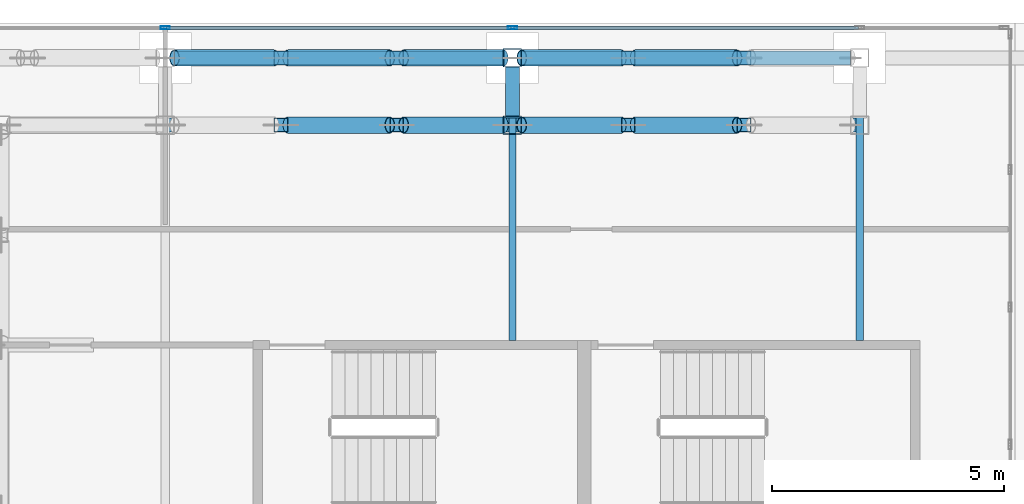
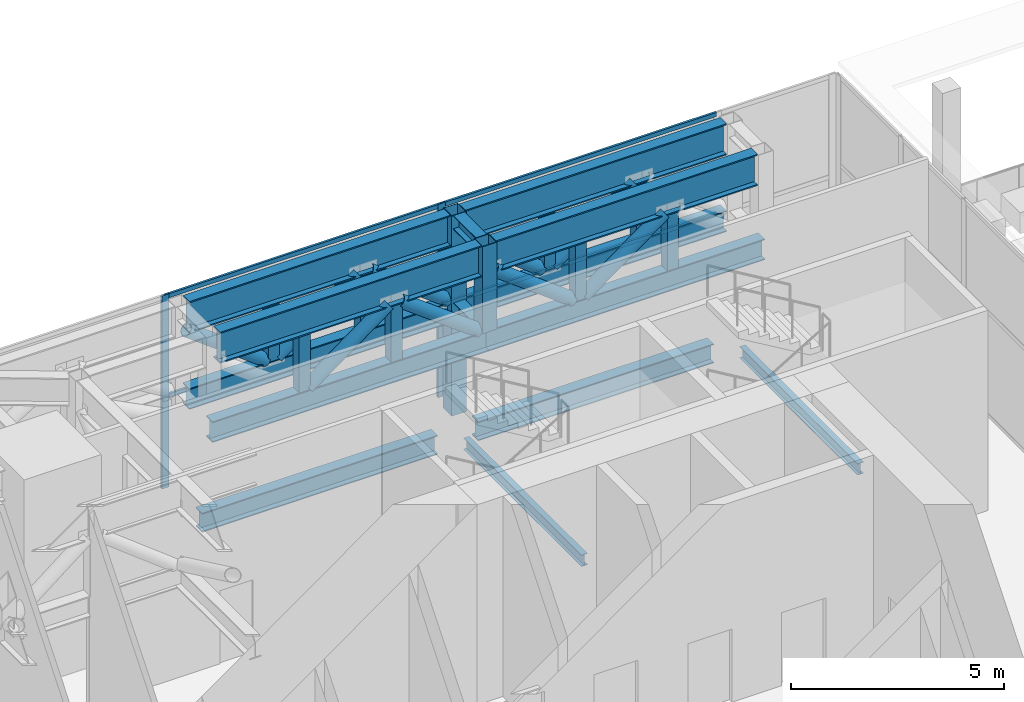
# One storey, part 22 of 47: 33 members, 6 beams, 1 element without a shape of its own.
"""IFC4 building model written with IfcOpenShell, lengths in metres."""

from ifc_helpers import new_model, si_unit, direction, frame, origin, origin_2d, place, context, subcontext, project, spatial, hollow_rectangle, hollow_circle, i_section, extrude, source, transform, mapped, material, material_profile, profile_set, type_object, element, aggregate, save


model = new_model("IFC4")

# Units and contexts
model_context = context("Model", 3, precision=1e-05, world=origin(), true_north=direction((0.0, 1.0)))
body_context = subcontext(model_context, "Body", "Model", "MODEL_VIEW")
ifc_project = project(units=[si_unit("LENGTHUNIT", "METRE"), si_unit("AREAUNIT", "SQUARE_METRE"), si_unit("VOLUMEUNIT", "CUBIC_METRE"), si_unit("PLANEANGLEUNIT", "RADIAN"), si_unit("MASSUNIT", "GRAM", prefix="KILO")], contexts=[model_context])

# Site, building, storey
site_placement = place(None, origin())
site = spatial("IfcSite", under=ifc_project, at=site_placement, CompositionType="ELEMENT")
building_placement = place(site_placement, origin())
building = spatial("IfcBuilding", under=site, at=building_placement, Name="Khomas Fold Tower", CompositionType="ELEMENT")
storey_placement = place(building_placement, frame((0.0, 0.0, 158.699951171875)))
storey = spatial("IfcBuildingStorey", under=building, at=storey_placement, Name="L34", CompositionType="ELEMENT", Elevation=158.699951171875)

# Beams
ifc_material_1 = material(Name="Steel S355", Category="steel")
ifc_material_profile_1 = material_profile(ifc_material_1, i_section(OverallWidth=0.300048828125, OverallDepth=0.550048828125, WebThickness=0.014892578125, FlangeThickness=0.029052734375, at=origin_2d()), Name="HE 550 B")
ifc_profile_set_1 = profile_set([ifc_material_profile_1], Name="Steel S355")
beam_type_1 = type_object("IfcBeamType", Name="HE 550 B spandrel SB2", PredefinedType="SPANDREL", material=ifc_profile_set_1)
shared_shape_1 = source(origin(), body_context, "Body", "SweptSolid", [
    extrude(i_section(OverallWidth=0.300048828125, OverallDepth=0.550048828125, WebThickness=0.014892578125, FlangeThickness=0.029052734375, at=origin_2d()), origin(), (0.0, 0.0, 1.0), 6.39990234375),
])
for number, where, z_axis, x_axis, name in (
    (1, (20.050048828125, 51.75, -0.724853515625), (1.0, 0.0, 0.0), (0.0, 1.0, 0.0), "SB2"),
    (2, (12.550048828125, 51.75, -0.724853515625), (1.0, 0.0, 0.0), (0.0, 1.0, 0.0), "SB2"),
):
    element("IfcBeam", number, at=place(storey_placement, frame(where, z_axis=z_axis, x_axis=x_axis)), inside=storey, type_object=beam_type_1, Name=name, PredefinedType="SPANDREL", context=body_context, shape_type="MappedRepresentation", body=[
        mapped(shared_shape_1, transform((0.0, 0.0, 0.0))),
    ])
ifc_material_2 = material(Name="Steel S355", Category="steel")
ifc_material_profile_2 = material_profile(ifc_material_2, i_section(OverallWidth=0.159912109375, OverallDepth=0.330078125, WebThickness=0.007568359375, FlangeThickness=0.011474609375, at=origin_2d()), Name="IPE 330")
ifc_profile_set_2 = profile_set([ifc_material_profile_2], Name="Steel S355")
beam_type_2 = type_object("IfcBeamType", Name="IPE 330 beam JB1", PredefinedType="BEAM", material=ifc_profile_set_2)
shared_shape_2 = source(origin(), body_context, "Body", "SweptSolid", [
    extrude(i_section(OverallWidth=0.159912109375, OverallDepth=0.330078125, WebThickness=0.007568359375, FlangeThickness=0.011474609375, at=origin_2d()), origin(), (0.0, 0.0, 1.0), 5.550048828125),
])
for number, where, z_axis, x_axis, name in (
    (3, (19.5, 45.64990234375, -0.614990234375), (0.0, 1.0, 0.0), (-1.0, 0.0, 0.0), "JB1"),
    (4, (27.0, 45.64990234375, -0.614990234375), (0.0, 1.0, 0.0), (-1.0, 0.0, 0.0), "JB1"),
):
    element("IfcBeam", number, at=place(storey_placement, frame(where, z_axis=z_axis, x_axis=x_axis)), inside=storey, type_object=beam_type_2, Name=name, PredefinedType="BEAM", context=body_context, shape_type="MappedRepresentation", body=[
        mapped(shared_shape_2, transform((0.0, 0.0, 0.0))),
    ])

# Members
ifc_material_3 = material(Name="Steel S355", Category="steel")
ifc_material_profile_3 = material_profile(ifc_material_3, hollow_rectangle(XDim=0.300048828125, YDim=0.300048828125, WallThickness=0.012451171875, at=origin_2d()), Name="SHS 300x300x12.5")
ifc_profile_set_3 = profile_set([ifc_material_profile_3], Name="Steel S355")
member_type_1 = type_object("IfcMemberType", Name="BELT TRUSS 2 MID POST SHS 300x300x12.5", PredefinedType="POST", material=ifc_profile_set_3)
shared_shape_3 = source(origin(), body_context, "Body", "SweptSolid", [
    extrude(hollow_rectangle(XDim=0.300048828125, YDim=0.300048828125, WallThickness=0.012451171875, at=origin_2d()), origin(), (0.0, 0.0, 1.0), 1.60009765625),
])
for number, where, z_axis, x_axis, name in (
    (5, (24.5, 51.75, 3.25), (0.0, 0.0, 1.0), (1.0, 0.0, 0.0), "BT2-M"),
    (6, (22.0, 51.75, 3.25), (0.0, 0.0, 1.0), (1.0, 0.0, 0.0), "BT2-M"),
    (7, (17.0, 51.75, 3.25), (0.0, 0.0, 1.0), (1.0, 0.0, 0.0), "BT2-M"),
    (8, (14.5, 51.75, 3.25), (0.0, 0.0, 1.0), (1.0, 0.0, 0.0), "BT2-M"),
    (9, (24.5, 50.300048828125, 3.25), (0.0, 0.0, 1.0), (1.0, 0.0, 0.0), "BT2-M"),
    (10, (22.0, 50.300048828125, 3.25), (0.0, 0.0, 1.0), (1.0, 0.0, 0.0), "BT2-M"),
    (11, (17.0, 50.300048828125, 3.25), (0.0, 0.0, 1.0), (1.0, 0.0, 0.0), "BT2-M"),
    (12, (14.5, 50.300048828125, 3.25), (0.0, 0.0, 1.0), (1.0, 0.0, 0.0), "BT2-M"),
):
    element("IfcMember", number, at=place(storey_placement, frame(where, z_axis=z_axis, x_axis=x_axis)), inside=storey, type_object=member_type_1, Name=name, PredefinedType="POST", context=body_context, shape_type="MappedRepresentation", body=[
        mapped(shared_shape_3, transform((0.0, 0.0, 0.0))),
    ])
ifc_material_4 = material(Name="Steel S460M", Category="steel")
ifc_material_profile_4 = material_profile(ifc_material_4, i_section(OverallWidth=0.300048828125, OverallDepth=0.89990234375, WebThickness=0.0185546875, FlangeThickness=0.034912109375, at=origin_2d()), Name="HE 900 B")
ifc_profile_set_4 = profile_set([ifc_material_profile_4], Name="Steel S460M")
member_type_2 = type_object("IfcMemberType", Name="BELT TRUSS 2 TOP CHORD HE 900 B", PredefinedType="CHORD", material=ifc_profile_set_4)
shared_shape_4 = source(origin(), body_context, "Body", "SweptSolid", [
    extrude(i_section(OverallWidth=0.300048828125, OverallDepth=0.89990234375, WebThickness=0.0185546875, FlangeThickness=0.034912109375, at=origin_2d()), origin(), (0.0, 0.0, 1.0), 7.10009765625),
])
for number, where, z_axis, x_axis, name in (
    (13, (26.800048828125, 51.75, 5.300048828125), (-1.0, 0.0, 0.0), (0.0, -1.0, 0.0), "BT2-CT"),
    (14, (19.300048828125, 51.75, 5.300048828125), (-1.0, 0.0, 0.0), (0.0, -1.0, 0.0), "BT2-CT"),
    (15, (26.800048828125, 50.300048828125, 5.300048828125), (-1.0, 0.0, 0.0), (0.0, -1.0, 0.0), "BT2-CT"),
    (16, (19.300048828125, 50.300048828125, 5.300048828125), (-1.0, 0.0, 0.0), (0.0, -1.0, 0.0), "BT2-CT"),
):
    element("IfcMember", number, at=place(storey_placement, frame(where, z_axis=z_axis, x_axis=x_axis)), inside=storey, type_object=member_type_2, Name=name, PredefinedType="CHORD", context=body_context, shape_type="MappedRepresentation", body=[
        mapped(shared_shape_4, transform((0.0, 0.0, 0.0))),
    ])
ifc_material_5 = material(Name="Steel S355", Category="steel")
ifc_material_profile_5 = material_profile(ifc_material_5, i_section(OverallWidth=0.300048828125, OverallDepth=0.60009765625, WebThickness=0.015380859375, FlangeThickness=0.030029296875, at=origin_2d()), Name="HE 600 B")
ifc_profile_set_5 = profile_set([ifc_material_profile_5], Name="Steel S355")
member_type_3 = type_object("IfcMemberType", Name="BELT TRUSS 2 BOTTOM CHORD HE 600 B", PredefinedType="CHORD", material=ifc_profile_set_5)
shared_shape_5 = source(origin(), body_context, "Body", "SweptSolid", [
    extrude(i_section(OverallWidth=0.300048828125, OverallDepth=0.60009765625, WebThickness=0.015380859375, FlangeThickness=0.030029296875, at=origin_2d()), origin(), (0.0, 0.0, 1.0), 7.10009765625),
])
for number, where, z_axis, x_axis, name in (
    (17, (26.800048828125, 51.75, 2.949951171875), (-1.0, 0.0, 0.0), (0.0, -1.0, 0.0), "BT2-CB"),
    (18, (19.300048828125, 51.75, 2.949951171875), (-1.0, 0.0, 0.0), (0.0, -1.0, 0.0), "BT2-CB"),
):
    element("IfcMember", number, at=place(storey_placement, frame(where, z_axis=z_axis, x_axis=x_axis)), inside=storey, type_object=member_type_3, Name=name, PredefinedType="CHORD", context=body_context, shape_type="MappedRepresentation", body=[
        mapped(shared_shape_5, transform((0.0, 0.0, 0.0))),
    ])
ifc_material_6 = material(Name="Steel S355", Category="steel")
ifc_material_profile_6 = material_profile(ifc_material_6, hollow_circle(Radius=0.177734375, WallThickness=0.01611328125, at=origin_2d()), Name="CHS 355.6x16")
ifc_profile_set_6 = profile_set([ifc_material_profile_6], Name="Steel S355")
member_type_4 = type_object("IfcMemberType", Name="BELT TRUSS 2 DIAGONAL CHS 355.6x16", PredefinedType="BRACE", material=ifc_profile_set_6)
shared_shape_6 = source(origin(), body_context, "Body", "SweptSolid", [
    extrude(hollow_circle(Radius=0.177734375, WallThickness=0.01611328125, at=origin_2d()), origin(), (0.0, 0.0, 1.0), 2.68603515625),
])
for number, where, z_axis, x_axis, name in (
    (19, (21.85009765625, 51.75, 3.2451171875), (-0.800490552016, 0.0, 0.599345372998), (0.0, -1.0, 0.0), "BT2-D"),
    (20, (19.300048828125, 51.75, 3.2451171875), (-0.800490552016, 0.0, 0.599345372998), (0.0, -1.0, 0.0), "BT2-D"),
    (21, (14.35009765625, 51.75, 3.2451171875), (-0.800490552016, 0.0, 0.599345372998), (0.0, -1.0, 0.0), "BT2-D"),
    (22, (21.85009765625, 50.300048828125, 3.2451171875), (-0.800490552016, 0.0, 0.599345372998), (0.0, -1.0, 0.0), "BT2-D"),
    (23, (19.300048828125, 50.300048828125, 3.2451171875), (-0.800490552016, 0.0, 0.599345372998), (0.0, -1.0, 0.0), "BT2-D"),
):
    element("IfcMember", number, at=place(storey_placement, frame(where, z_axis=z_axis, x_axis=x_axis)), inside=storey, type_object=member_type_4, Name=name, PredefinedType="BRACE", context=body_context, shape_type="MappedRepresentation", body=[
        mapped(shared_shape_6, transform((0.0, 0.0, 0.0))),
    ])
shared_shape_7 = source(origin(), body_context, "Body", "SweptSolid", [
    extrude(hollow_circle(Radius=0.177734375, WallThickness=0.01611328125, at=origin_2d()), origin(), (0.0, 0.0, 1.0), 2.726318359375),
])
for number, where, z_axis, x_axis, name in (
    (24, (24.35009765625, 51.75, 4.85498046875), (-0.80703657096, 0.0, -0.590501459044), (0.0, -1.0, 0.0), "BT2-D"),
    (25, (16.85009765625, 51.75, 4.85498046875), (-0.80703657096, 0.0, -0.590501459044), (0.0, -1.0, 0.0), "BT2-D"),
    (26, (24.35009765625, 50.300048828125, 4.85498046875), (-0.80703657096, 0.0, -0.590501459044), (0.0, -1.0, 0.0), "BT2-D"),
    (27, (16.85009765625, 50.300048828125, 4.85498046875), (-0.80703657096, 0.0, -0.590501459044), (0.0, -1.0, 0.0), "BT2-D"),
):
    element("IfcMember", number, at=place(storey_placement, frame(where, z_axis=z_axis, x_axis=x_axis)), inside=storey, type_object=member_type_4, Name=name, PredefinedType="BRACE", context=body_context, shape_type="MappedRepresentation", body=[
        mapped(shared_shape_7, transform((0.0, 0.0, 0.0))),
    ])
shared_shape_8 = source(origin(), body_context, "Body", "SweptSolid", [
    extrude(i_section(OverallWidth=0.300048828125, OverallDepth=0.60009765625, WebThickness=0.015380859375, FlangeThickness=0.030029296875, at=origin_2d()), origin(), (0.0, 0.0, 1.0), 7.5),
])
for number, where, z_axis, x_axis, name in (
    (28, (27.0, 50.300048828125, 2.949951171875), (-1.0, 0.0, 0.0), (0.0, -1.0, 0.0), "BT2-CB"),
    (29, (19.5, 50.300048828125, 2.949951171875), (-1.0, 0.0, 0.0), (0.0, -1.0, 0.0), "BT2-CB"),
):
    element("IfcMember", number, at=place(storey_placement, frame(where, z_axis=z_axis, x_axis=x_axis)), inside=storey, type_object=member_type_3, Name=name, PredefinedType="CHORD", context=body_context, shape_type="MappedRepresentation", body=[
        mapped(shared_shape_8, transform((0.0, 0.0, 0.0))),
    ])
ifc_material_7 = material(Name="Steel S460M", Category="steel")
ifc_material_profile_7 = material_profile(ifc_material_7, hollow_rectangle(XDim=0.39990234375, YDim=0.39990234375, WallThickness=0.01611328125, at=origin_2d()), Name="SHS 400x400x16")
ifc_profile_set_7 = profile_set([ifc_material_profile_7], Name="Steel S460M")
member_type_5 = type_object("IfcMemberType", Name="BELT TRUSS 2 COLUMN POST SHS 400x400x16", PredefinedType="POST", material=ifc_profile_set_7)
shared_shape_9 = source(origin(), body_context, "Body", "SweptSolid", [
    extrude(hollow_rectangle(XDim=0.39990234375, YDim=0.39990234375, WallThickness=0.01611328125, at=origin_2d()), origin(), (0.0, 0.0, 1.0), 5.75),
])
member_1_placement = place(storey_placement, frame((19.5, 51.75, 0.0), z_axis=(0.0, 0.0, 1.0), x_axis=(1.0, 0.0, 0.0)))
element("IfcMember", 30, at=member_1_placement, inside=storey, type_object=member_type_5, Name="BT2-P", PredefinedType="POST", context=body_context, shape_type="MappedRepresentation", body=[
    mapped(shared_shape_9, transform((0.0, 0.0, 0.0))),
])
ifc_material_8 = material(Name="Steel S460M", Category="steel")
ifc_material_profile_8 = material_profile(ifc_material_8, hollow_rectangle(XDim=0.39990234375, YDim=0.39990234375, WallThickness=0.01611328125, at=origin_2d()), Name="SHS 400x400x16")
ifc_profile_set_8 = profile_set([ifc_material_profile_8], Name="Steel S460M")
member_type_6 = type_object("IfcMemberType", Name="BELT TRUSS 2 COLUMN POST SHORT SHS 400x400x16", PredefinedType="POST", material=ifc_profile_set_8)
shared_shape_10 = source(origin(), body_context, "Body", "SweptSolid", [
    extrude(hollow_rectangle(XDim=0.39990234375, YDim=0.39990234375, WallThickness=0.01611328125, at=origin_2d()), origin(), (0.0, 0.0, 1.0), 2.5),
])
member_2_placement = place(storey_placement, frame((19.5, 50.300048828125, 3.25), z_axis=(0.0, 0.0, 1.0), x_axis=(1.0, 0.0, 0.0)))
element("IfcMember", 31, at=member_2_placement, inside=storey, type_object=member_type_6, Name="BT2-PS", PredefinedType="POST", context=body_context, shape_type="MappedRepresentation", body=[
    mapped(shared_shape_10, transform((0.0, 0.0, 0.0))),
])

# Beams
ifc_material_9 = material(Name="Steel S355", Category="steel")
ifc_material_profile_9 = material_profile(ifc_material_9, i_section(OverallWidth=0.300048828125, OverallDepth=0.39990234375, WebThickness=0.013427734375, FlangeThickness=0.02392578125, at=origin_2d()), Name="HE 400 B")
ifc_profile_set_9 = profile_set([ifc_material_profile_9], Name="Steel S355")
beam_type_3 = type_object("IfcBeamType", Name="BELT TRUSS 2 TOP STRUT HE 400 B", PredefinedType="BEAM", material=ifc_profile_set_9)
shared_shape_11 = source(origin(), body_context, "Body", "SweptSolid", [
    extrude(i_section(OverallWidth=0.300048828125, OverallDepth=0.39990234375, WebThickness=0.013427734375, FlangeThickness=0.02392578125, at=origin_2d()), origin(), (0.0, 0.0, 1.0), 1.050048828125),
])
beam_1_placement = place(storey_placement, frame((19.5, 50.5, 5.550048828125), z_axis=(0.0, 1.0, 0.0), x_axis=(-1.0, 0.0, 0.0)))
element("IfcBeam", 32, at=beam_1_placement, inside=storey, type_object=beam_type_3, Name="BT2-ST", PredefinedType="BEAM", context=body_context, shape_type="MappedRepresentation", body=[
    mapped(shared_shape_11, transform((0.0, 0.0, 0.0))),
])
ifc_material_10 = material(Name="Steel S355", Category="steel")
ifc_material_profile_10 = material_profile(ifc_material_10, i_section(OverallWidth=0.300048828125, OverallDepth=0.39990234375, WebThickness=0.013427734375, FlangeThickness=0.02392578125, at=origin_2d()), Name="HE 400 B")
ifc_profile_set_10 = profile_set([ifc_material_profile_10], Name="Steel S355")
beam_type_4 = type_object("IfcBeamType", Name="BELT TRUSS 2 BOTTOM STRUT HE 400 B", PredefinedType="BEAM", material=ifc_profile_set_10)
shared_shape_12 = source(origin(), body_context, "Body", "SweptSolid", [
    extrude(i_section(OverallWidth=0.300048828125, OverallDepth=0.39990234375, WebThickness=0.013427734375, FlangeThickness=0.02392578125, at=origin_2d()), origin(), (0.0, 0.0, 1.0), 1.10009765625),
])
beam_2_placement = place(storey_placement, frame((19.5, 50.449951171875, 3.050048828125), z_axis=(0.0, 1.0, 0.0), x_axis=(-1.0, 0.0, 0.0)))
element("IfcBeam", 33, at=beam_2_placement, inside=storey, type_object=beam_type_4, Name="BT2-SB", PredefinedType="BEAM", context=body_context, shape_type="MappedRepresentation", body=[
    mapped(shared_shape_12, transform((0.0, 0.0, 0.0))),
])

# Curtain wall, members
ifc_material_11 = material(Name="Aluminium framed double glazing", Category="aluminium")
curtain_wall_type = type_object("IfcCurtainWallType", Name="SK-Unitised clear-glass wall, growing floors CW1", PredefinedType="NOTDEFINED", material=ifc_material_11)
curtain_wall_placement = place(storey_placement, origin())
curtain_wall = element("IfcCurtainWall", 34, at=curtain_wall_placement, inside=storey, type_object=curtain_wall_type, Name="CW1 run L34 15-0", PredefinedType="NOTDEFINED")
ifc_material_12 = material(Name="Aluminium", Category="aluminium")
ifc_material_profile_11 = material_profile(ifc_material_12, hollow_rectangle(XDim=0.06005859375, YDim=0.1201171875, WallThickness=0.00390625, at=origin_2d()), Name="SK-Unitised clear-glass wall, growing floors transom CW1-T")
ifc_profile_set_11 = profile_set([ifc_material_profile_11], Name="Aluminium")
member_type_7 = type_object("IfcMemberType", Name="SK-Unitised clear-glass wall, growing floors transom CW1-T", PredefinedType="USERDEFINED", material=ifc_profile_set_11)
shared_shape_13 = source(origin(), body_context, "Body", "SweptSolid", [
    extrude(hollow_rectangle(XDim=0.06005859375, YDim=0.1201171875, WallThickness=0.00390625, at=origin_2d()), origin(), (0.0, 0.0, 1.0), 7.43994140625),
])
member_3_placement = place(storey_placement, frame((26.969970703125, 52.39990234375, 5.489990234375), z_axis=(-1.0, 0.0, 0.0), x_axis=(0.0, -1.0, 0.0)))
member_3 = element("IfcMember", 35, at=member_3_placement, type_object=member_type_7, Name="CW1 transom 2", ObjectType="TRANSOM", PredefinedType="USERDEFINED", context=body_context, shape_type="MappedRepresentation", body=[
    mapped(shared_shape_13, transform((0.0, 0.0, 0.0))),
])
member_4_placement = place(storey_placement, frame((26.969970703125, 52.39990234375, 2.6171875), z_axis=(-1.0, 0.0, 0.0), x_axis=(0.0, -1.0, 0.0)))
member_4 = element("IfcMember", 36, at=member_4_placement, type_object=member_type_7, Name="CW1 transom 2 (truss floor)", ObjectType="TRANSOM", PredefinedType="USERDEFINED", context=body_context, shape_type="MappedRepresentation", body=[
    mapped(shared_shape_13, transform((0.0, 0.0, 0.0))),
])
member_5_placement = place(storey_placement, frame((19.469970703125, 52.39990234375, 5.489990234375), z_axis=(-1.0, 0.0, 0.0), x_axis=(0.0, -1.0, 0.0)))
member_5 = element("IfcMember", 37, at=member_5_placement, type_object=member_type_7, Name="CW1 transom 3", ObjectType="TRANSOM", PredefinedType="USERDEFINED", context=body_context, shape_type="MappedRepresentation", body=[
    mapped(shared_shape_13, transform((0.0, 0.0, 0.0))),
])
member_6_placement = place(storey_placement, frame((19.469970703125, 52.39990234375, 2.6171875), z_axis=(-1.0, 0.0, 0.0), x_axis=(0.0, -1.0, 0.0)))
member_6 = element("IfcMember", 38, at=member_6_placement, type_object=member_type_7, Name="CW1 transom 3 (truss floor)", ObjectType="TRANSOM", PredefinedType="USERDEFINED", context=body_context, shape_type="MappedRepresentation", body=[
    mapped(shared_shape_13, transform((0.0, 0.0, 0.0))),
])
ifc_material_13 = material(Name="Aluminium", Category="aluminium")
ifc_material_profile_12 = material_profile(ifc_material_13, hollow_rectangle(XDim=0.06005859375, YDim=0.199951171875, WallThickness=0.00390625, at=origin_2d()), Name="SK-Unitised clear-glass wall, growing floors mullion CW1-M")
ifc_profile_set_12 = profile_set([ifc_material_profile_12], Name="Aluminium")
member_type_8 = type_object("IfcMemberType", Name="SK-Unitised clear-glass wall, growing floors mullion CW1-M", PredefinedType="MULLION", material=ifc_profile_set_12)
shared_shape_14 = source(origin(), body_context, "Body", "SweptSolid", [
    extrude(hollow_rectangle(XDim=0.06005859375, YDim=0.199951171875, WallThickness=0.00390625, at=origin_2d()), origin(), (0.0, 0.0, 1.0), 5.550048828125),
])
member_7_placement = place(storey_placement, frame((19.5, 52.39990234375, 0.0), z_axis=(0.0, 0.0, 1.0), x_axis=(0.0, -1.0, 0.0)))
member_7 = element("IfcMember", 39, at=member_7_placement, type_object=member_type_8, Name="CW1 mullion 3", PredefinedType="MULLION", context=body_context, shape_type="MappedRepresentation", body=[
    mapped(shared_shape_14, transform((0.0, 0.0, 0.0))),
])
member_8_placement = place(storey_placement, frame((12.0, 52.39990234375, 0.0), z_axis=(0.0, 0.0, 1.0), x_axis=(0.0, -1.0, 0.0)))
member_8 = element("IfcMember", 40, at=member_8_placement, type_object=member_type_8, Name="CW1 mullion 4", PredefinedType="MULLION", context=body_context, shape_type="MappedRepresentation", body=[
    mapped(shared_shape_14, transform((0.0, 0.0, 0.0))),
])
aggregate(curtain_wall, [member_7, member_8, member_3, member_4, member_5, member_6])

save(model, "model.ifc")
